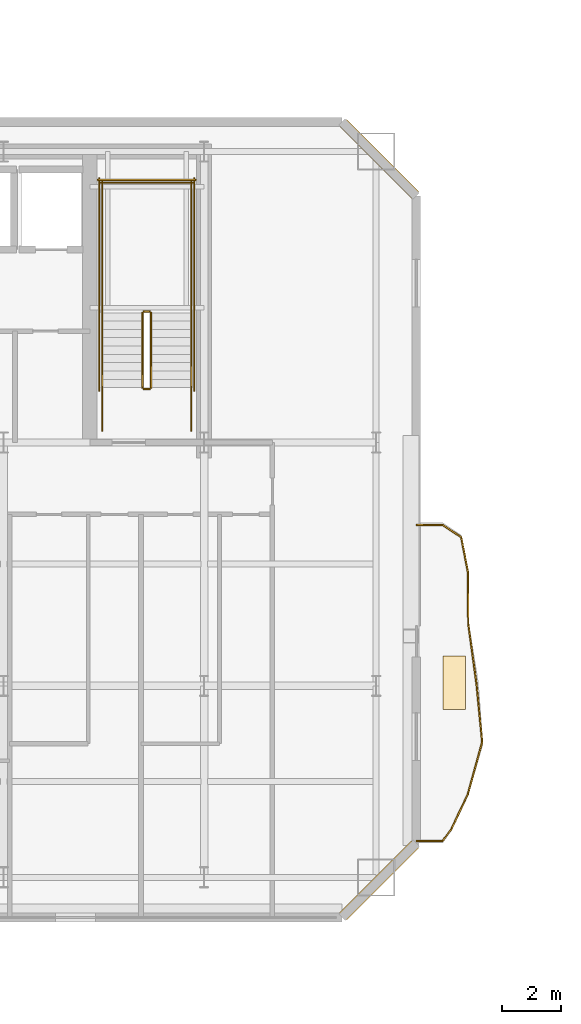
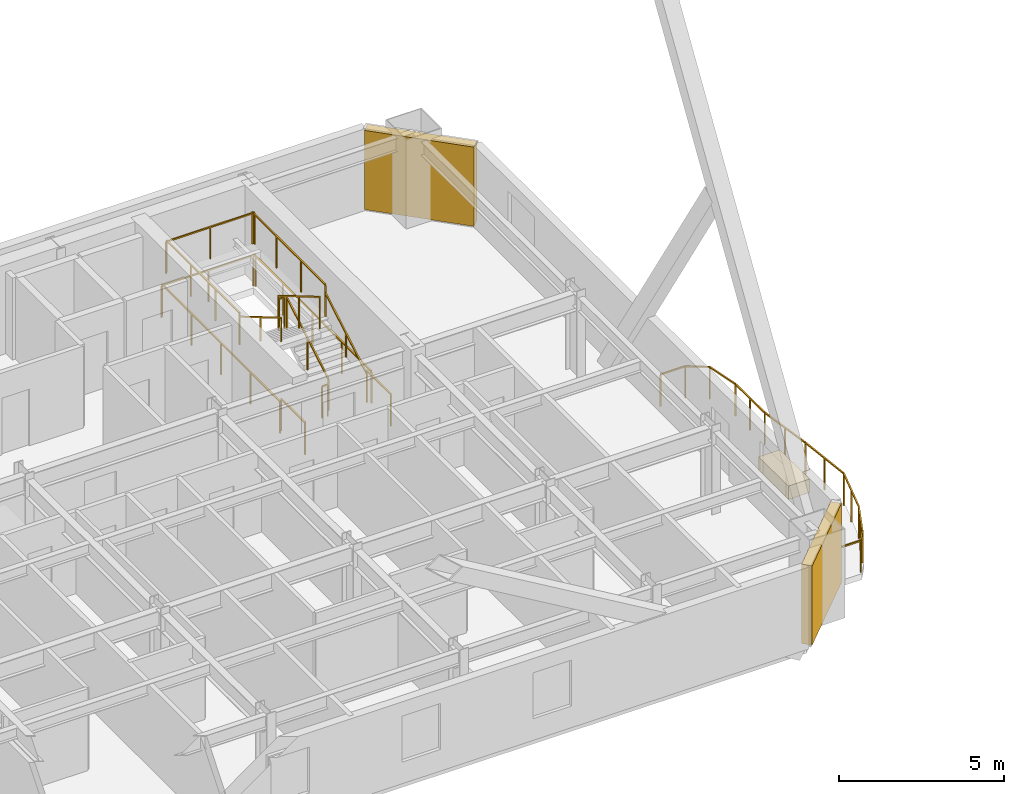
# One storey, part 18 of 20: 24 railings, 2 shading devices, 1 covering.
"""IFC4 building model written with IfcOpenShell, lengths in metres."""

from ifc_helpers import new_model, si_unit, direction, frame, origin, origin_2d, place, context, subcontext, project, spatial, rectangle, extrude, material, layer, layer_set, type_object, element, save


model = new_model("IFC4")

# Units and contexts
model_context = context("Model", 3, precision=1e-05, world=origin(), true_north=direction((0.0, 1.0)))
body_context = subcontext(model_context, "Body", "Model", "MODEL_VIEW")
ifc_project = project(units=[si_unit("LENGTHUNIT", "METRE"), si_unit("AREAUNIT", "SQUARE_METRE"), si_unit("VOLUMEUNIT", "CUBIC_METRE"), si_unit("PLANEANGLEUNIT", "RADIAN"), si_unit("MASSUNIT", "GRAM", prefix="KILO")], contexts=[model_context])

# Site, building, storey
site_placement = place(None, origin())
site = spatial("IfcSite", under=ifc_project, at=site_placement, CompositionType="ELEMENT")
building_placement = place(site_placement, origin())
building = spatial("IfcBuilding", under=site, at=building_placement, Name="Haevon Station Towers", CompositionType="ELEMENT")
storey_placement = place(building_placement, frame((0.0, 0.0, 175.800048828125)))
storey = spatial("IfcBuildingStorey", under=building, at=storey_placement, Name="L48", CompositionType="ELEMENT", Elevation=175.800048828125)

# Railings
ifc_material_1 = material(Name="Steel S355", Category="steel")
railing_type_1 = type_object("IfcRailingType", Name="GRD-EXT1200", PredefinedType="GUARDRAIL", material=ifc_material_1)
railing_1_placement = place(storey_placement, frame((58.17333984375, 24.77783203125, 0.0)))
element("IfcRailing", 1, at=railing_1_placement, inside=storey, type_object=railing_type_1, Name="L48 Perimeter Guardrail 1", PredefinedType="GUARDRAIL", context=body_context, shape_type="SweptSolid", body=[
    extrude(rectangle(XDim=0.048095703125, YDim=0.048095703125, at=origin_2d()), frame((0.0, 0.0, 1.17578125), z_axis=(0.99999747791, 0.002245923589, 0.0), x_axis=(-0.002245923589, 0.99999747791, 0.0)), (0.0, 0.0, 1.0), 0.86962890625),
    extrude(rectangle(XDim=0.0419921875, YDim=0.0419921875, at=origin_2d()), origin(), (0.0, 0.0, 1.0), 1.15185546875),
    extrude(rectangle(XDim=0.0419921875, YDim=0.0419921875, at=origin_2d()), frame((0.86962890625, 0.001953125, 0.0)), (0.0, 0.0, 1.0), 1.15185546875),
])
railing_2_placement = place(storey_placement, frame((59.04296875, 24.77978515625, 0.0)))
element("IfcRailing", 2, at=railing_2_placement, inside=storey, type_object=railing_type_1, Name="L48 Perimeter Guardrail 2", PredefinedType="GUARDRAIL", context=body_context, shape_type="SweptSolid", body=[
    extrude(rectangle(XDim=0.048095703125, YDim=0.048095703125, at=origin_2d()), frame((0.0, 0.0, 1.17578125), z_axis=(0.587943185417, 0.808902225688, 0.0), x_axis=(-0.808902225688, 0.587943185417, 0.0)), (0.0, 0.0, 1.0), 0.50830078125),
    extrude(rectangle(XDim=0.0419921875, YDim=0.0419921875, at=origin_2d()), origin(), (0.0, 0.0, 1.0), 1.15185546875),
    extrude(rectangle(XDim=0.0419921875, YDim=0.0419921875, at=origin_2d()), frame((0.298828125, 0.4111328125, 0.0)), (0.0, 0.0, 1.0), 1.15185546875),
])
railing_3_placement = place(storey_placement, frame((59.341796875, 25.19091796875, 0.0)))
element("IfcRailing", 3, at=railing_3_placement, inside=storey, type_object=railing_type_1, Name="L48 Perimeter Guardrail 3", PredefinedType="GUARDRAIL", context=body_context, shape_type="SweptSolid", body=[
    extrude(rectangle(XDim=0.048095703125, YDim=0.048095703125, at=origin_2d()), frame((0.0, 0.0, 1.17578125), z_axis=(0.42339242702, 0.905946385137, 0.0), x_axis=(-0.905946385137, 0.42339242702, 0.0)), (0.0, 0.0, 1.0), 1.291748046875),
    extrude(rectangle(XDim=0.0419921875, YDim=0.0419921875, at=origin_2d()), origin(), (0.0, 0.0, 1.0), 1.15185546875),
    extrude(rectangle(XDim=0.0419921875, YDim=0.0419921875, at=origin_2d()), frame((0.2734375, 0.5849609375, 0.0)), (0.0, 0.0, 1.0), 1.15185546875),
    extrude(rectangle(XDim=0.0419921875, YDim=0.0419921875, at=origin_2d()), frame((0.546875, 1.170166015625, 0.0)), (0.0, 0.0, 1.0), 1.15185546875),
])
railing_4_placement = place(storey_placement, frame((59.888671875, 26.361083984375, 0.0)))
element("IfcRailing", 4, at=railing_4_placement, inside=storey, type_object=railing_type_1, Name="L48 Perimeter Guardrail 4", PredefinedType="GUARDRAIL", context=body_context, shape_type="SweptSolid", body=[
    extrude(rectangle(XDim=0.048095703125, YDim=0.048095703125, at=origin_2d()), frame((0.0, 0.0, 1.17578125), z_axis=(0.266356811872, 0.963874498454, 0.0), x_axis=(-0.963874498454, 0.266356811872, 0.0)), (0.0, 0.0, 1.0), 1.810302734375),
    extrude(rectangle(XDim=0.0419921875, YDim=0.0419921875, at=origin_2d()), origin(), (0.0, 0.0, 1.0), 1.15185546875),
    extrude(rectangle(XDim=0.0419921875, YDim=0.0419921875, at=origin_2d()), frame((0.2412109375, 0.87255859375, 0.0)), (0.0, 0.0, 1.0), 1.15185546875),
    extrude(rectangle(XDim=0.0419921875, YDim=0.0419921875, at=origin_2d()), frame((0.482177734375, 1.744873046875, 0.0)), (0.0, 0.0, 1.0), 1.15185546875),
])
railing_5_placement = place(storey_placement, frame((60.370849609375, 28.10595703125, 0.0)))
element("IfcRailing", 5, at=railing_5_placement, inside=storey, type_object=railing_type_1, Name="L48 Perimeter Guardrail 5", PredefinedType="GUARDRAIL", context=body_context, shape_type="SweptSolid", body=[
    extrude(rectangle(XDim=0.048095703125, YDim=0.048095703125, at=origin_2d()), frame((0.0, 0.0, 1.17578125), z_axis=(-0.097718135752, 0.9952141307, 0.0), x_axis=(-0.9952141307, -0.097718135752, 0.0)), (0.0, 0.0, 1.0), 2.003662109375),
    extrude(rectangle(XDim=0.0419921875, YDim=0.0419921875, at=origin_2d()), origin(), (0.0, 0.0, 1.0), 1.15185546875),
    extrude(rectangle(XDim=0.0419921875, YDim=0.0419921875, at=origin_2d()), frame((-0.097900390625, 0.9970703125, 0.0)), (0.0, 0.0, 1.0), 1.15185546875),
    extrude(rectangle(XDim=0.0419921875, YDim=0.0419921875, at=origin_2d()), frame((-0.19580078125, 1.994140625, 0.0)), (0.0, 0.0, 1.0), 1.15185546875),
])
railing_6_placement = place(storey_placement, frame((60.175048828125, 30.10009765625, 0.0)))
element("IfcRailing", 6, at=railing_6_placement, inside=storey, type_object=railing_type_1, Name="L48 Perimeter Guardrail 6", PredefinedType="GUARDRAIL", context=body_context, shape_type="SweptSolid", body=[
    extrude(rectangle(XDim=0.048095703125, YDim=0.048095703125, at=origin_2d()), frame((0.0, 0.0, 1.17578125), z_axis=(-0.136345171369, 0.990661392326, 0.0), x_axis=(-0.990661392326, -0.136345171369, 0.0)), (0.0, 0.0, 1.0), 2.00732421875),
    extrude(rectangle(XDim=0.0419921875, YDim=0.0419921875, at=origin_2d()), origin(), (0.0, 0.0, 1.0), 1.15185546875),
    extrude(rectangle(XDim=0.0419921875, YDim=0.0419921875, at=origin_2d()), frame((-0.13671875, 0.994140625, 0.0)), (0.0, 0.0, 1.0), 1.15185546875),
    extrude(rectangle(XDim=0.0419921875, YDim=0.0419921875, at=origin_2d()), frame((-0.273681640625, 1.988525390625, 0.0)), (0.0, 0.0, 1.0), 1.15185546875),
])
railing_7_placement = place(storey_placement, frame((59.9013671875, 32.088623046875, 0.0)))
element("IfcRailing", 7, at=railing_7_placement, inside=storey, type_object=railing_type_1, Name="L48 Perimeter Guardrail 7", PredefinedType="GUARDRAIL", context=body_context, shape_type="SweptSolid", body=[
    extrude(rectangle(XDim=0.048095703125, YDim=0.048095703125, at=origin_2d()), frame((0.0, 0.0, 1.17578125), z_axis=(-0.00725326156, 0.999973694752, 0.0), x_axis=(-0.999973694752, -0.00725326156, 0.0)), (0.0, 0.0, 1.0), 1.750244140625),
    extrude(rectangle(XDim=0.0419921875, YDim=0.0419921875, at=origin_2d()), origin(), (0.0, 0.0, 1.0), 1.15185546875),
    extrude(rectangle(XDim=0.0419921875, YDim=0.0419921875, at=origin_2d()), frame((-0.00634765625, 0.875, 0.0)), (0.0, 0.0, 1.0), 1.15185546875),
    extrude(rectangle(XDim=0.0419921875, YDim=0.0419921875, at=origin_2d()), frame((-0.0126953125, 1.750244140625, 0.0)), (0.0, 0.0, 1.0), 1.15185546875),
])
railing_8_placement = place(storey_placement, frame((59.888671875, 33.8388671875, 0.0)))
element("IfcRailing", 8, at=railing_8_placement, inside=storey, type_object=railing_type_1, Name="L48 Perimeter Guardrail 8", PredefinedType="GUARDRAIL", context=body_context, shape_type="SweptSolid", body=[
    extrude(rectangle(XDim=0.048095703125, YDim=0.048095703125, at=origin_2d()), frame((0.0, 0.0, 1.17578125), z_axis=(-0.18988815167, 0.981805729182, 0.0), x_axis=(-0.981805729182, -0.18988815167, 0.0)), (0.0, 0.0, 1.0), 1.19189453125),
    extrude(rectangle(XDim=0.0419921875, YDim=0.0419921875, at=origin_2d()), origin(), (0.0, 0.0, 1.0), 1.15185546875),
    extrude(rectangle(XDim=0.0419921875, YDim=0.0419921875, at=origin_2d()), frame((-0.226318359375, 1.170166015625, 0.0)), (0.0, 0.0, 1.0), 1.15185546875),
])
railing_9_placement = place(storey_placement, frame((59.662353515625, 35.009033203125, 0.0)))
element("IfcRailing", 9, at=railing_9_placement, inside=storey, type_object=railing_type_1, Name="L48 Perimeter Guardrail 9", PredefinedType="GUARDRAIL", context=body_context, shape_type="SweptSolid", body=[
    extrude(rectangle(XDim=0.048095703125, YDim=0.048095703125, at=origin_2d()), frame((0.0, 0.0, 1.17578125), z_axis=(-0.833160144028, 0.553031802343, 0.0), x_axis=(-0.553031802343, -0.833160144028, 0.0)), (0.0, 0.0, 1.0), 0.743408203125),
    extrude(rectangle(XDim=0.0419921875, YDim=0.0419921875, at=origin_2d()), origin(), (0.0, 0.0, 1.0), 1.15185546875),
    extrude(rectangle(XDim=0.0419921875, YDim=0.0419921875, at=origin_2d()), frame((-0.619384765625, 0.4111328125, 0.0)), (0.0, 0.0, 1.0), 1.15185546875),
])
railing_10_placement = place(storey_placement, frame((59.04296875, 35.420166015625, 0.0)))
element("IfcRailing", 10, at=railing_10_placement, inside=storey, type_object=railing_type_1, Name="L48 Perimeter Guardrail 10", PredefinedType="GUARDRAIL", context=body_context, shape_type="SweptSolid", body=[
    extrude(rectangle(XDim=0.048095703125, YDim=0.048095703125, at=origin_2d()), frame((0.0, 0.0, 1.17578125), z_axis=(-0.99999747791, 0.002245923589, 0.0), x_axis=(-0.002245923589, -0.99999747791, 0.0)), (0.0, 0.0, 1.0), 0.86962890625),
    extrude(rectangle(XDim=0.0419921875, YDim=0.0419921875, at=origin_2d()), origin(), (0.0, 0.0, 1.0), 1.15185546875),
    extrude(rectangle(XDim=0.0419921875, YDim=0.0419921875, at=origin_2d()), frame((-0.86962890625, 0.001953125, 0.0)), (0.0, 0.0, 1.0), 1.15185546875),
])
railing_type_2 = type_object("IfcRailingType", Name="GRD-STR1200", PredefinedType="GUARDRAIL", material=ifc_material_1)
railing_11_placement = place(storey_placement, frame((49.219970703125, 40.050048828125, 0.1650390625)))
element("IfcRailing", 11, at=railing_11_placement, inside=storey, type_object=railing_type_2, Name="L48 ST2 Stair Guard 1", PredefinedType="GUARDRAIL", context=body_context, shape_type="SweptSolid", body=[
    extrude(rectangle(XDim=0.048095703125, YDim=0.048095703125, at=origin_2d()), frame((0.0, 0.0, 1.17578125), z_axis=(0.0, 0.861560626758, 0.507654692109), x_axis=(-1.0, 0.0, 0.0)), (0.0, 0.0, 1.0), 2.925048828125),
    extrude(rectangle(XDim=0.0419921875, YDim=0.0419921875, at=origin_2d()), origin(), (0.0, 0.0, 1.0), 1.15185546875),
    extrude(rectangle(XDim=0.0419921875, YDim=0.0419921875, at=origin_2d()), frame((0.0, 1.260009765625, 0.742431640625)), (0.0, 0.0, 1.0), 1.15185546875),
    extrude(rectangle(XDim=0.0419921875, YDim=0.0419921875, at=origin_2d()), frame((0.0, 2.52001953125, 1.48486328125)), (0.0, 0.0, 1.0), 1.15185546875),
])
railing_12_placement = place(storey_placement, frame((49.169921875, 42.6201171875, 1.64990234375)))
element("IfcRailing", 12, at=railing_12_placement, inside=storey, type_object=railing_type_2, Name="L48 ST2 Stair Guard 2", PredefinedType="GUARDRAIL", context=body_context, shape_type="SweptSolid", body=[
    extrude(rectangle(XDim=0.048095703125, YDim=0.048095703125, at=origin_2d()), frame((0.0, 0.0, 1.17578125), z_axis=(-1.0, 0.0, 0.0), x_axis=(0.0, -1.0, 0.0)), (0.0, 0.0, 1.0), 0.199951171875),
    extrude(rectangle(XDim=0.0419921875, YDim=0.0419921875, at=origin_2d()), origin(), (0.0, 0.0, 1.0), 1.15185546875),
    extrude(rectangle(XDim=0.0419921875, YDim=0.0419921875, at=origin_2d()), frame((-0.199951171875, 0.0, 0.0)), (0.0, 0.0, 1.0), 1.15185546875),
])
for number, where, name in (
    (13, (50.570068359375, 42.570068359375, 1.64990234375), "L48 ST2 Stair Guard 3"),
    (14, (47.570068359375, 42.570068359375, 1.64990234375), "L48 ST2 Stair Guard 4"),
):
    element("IfcRailing", number, at=place(storey_placement, frame(where)), inside=storey, type_object=railing_type_2, Name=name, PredefinedType="GUARDRAIL", context=body_context, shape_type="SweptSolid", body=[
        extrude(rectangle(XDim=0.048095703125, YDim=0.048095703125, at=origin_2d()), frame((0.0, 0.0, 1.17578125), z_axis=(0.0, 1.0, 0.0), x_axis=(-1.0, 0.0, 0.0)), (0.0, 0.0, 1.0), 4.429931640625),
        extrude(rectangle(XDim=0.0419921875, YDim=0.0419921875, at=origin_2d()), origin(), (0.0, 0.0, 1.0), 1.15185546875),
        extrude(rectangle(XDim=0.0419921875, YDim=0.0419921875, at=origin_2d()), frame((0.0, 1.4765625, 0.0)), (0.0, 0.0, 1.0), 1.15185546875),
        extrude(rectangle(XDim=0.0419921875, YDim=0.0419921875, at=origin_2d()), frame((0.0, 2.953369140625, 0.0)), (0.0, 0.0, 1.0), 1.15185546875),
        extrude(rectangle(XDim=0.0419921875, YDim=0.0419921875, at=origin_2d()), frame((0.0, 4.429931640625, 0.0)), (0.0, 0.0, 1.0), 1.15185546875),
    ])
railing_13_placement = place(storey_placement, frame((50.6201171875, 46.949951171875, 1.64990234375)))
element("IfcRailing", 15, at=railing_13_placement, inside=storey, type_object=railing_type_2, Name="L48 ST2 Stair Guard 5", PredefinedType="GUARDRAIL", context=body_context, shape_type="SweptSolid", body=[
    extrude(rectangle(XDim=0.048095703125, YDim=0.048095703125, at=origin_2d()), frame((0.0, 0.0, 1.17578125), z_axis=(-1.0, 0.0, 0.0), x_axis=(0.0, -1.0, 0.0)), (0.0, 0.0, 1.0), 3.10009765625),
    extrude(rectangle(XDim=0.0419921875, YDim=0.0419921875, at=origin_2d()), origin(), (0.0, 0.0, 1.0), 1.15185546875),
    extrude(rectangle(XDim=0.0419921875, YDim=0.0419921875, at=origin_2d()), frame((-1.550048828125, 0.0, 0.0)), (0.0, 0.0, 1.0), 1.15185546875),
    extrude(rectangle(XDim=0.0419921875, YDim=0.0419921875, at=origin_2d()), frame((-3.10009765625, 0.0, 0.0)), (0.0, 0.0, 1.0), 1.15185546875),
])
railing_14_placement = place(storey_placement, frame((48.919921875, 42.570068359375, 1.81494140625)))
element("IfcRailing", 16, at=railing_14_placement, inside=storey, type_object=railing_type_2, Name="L48 ST2 Stair Guard 6", PredefinedType="GUARDRAIL", context=body_context, shape_type="SweptSolid", body=[
    extrude(rectangle(XDim=0.048095703125, YDim=0.048095703125, at=origin_2d()), frame((0.0, 0.0, 1.17578125), z_axis=(0.0, -0.86152411907, 0.507716645641), x_axis=(1.0, 0.0, 0.0)), (0.0, 0.0, 1.0), 2.925048828125),
    extrude(rectangle(XDim=0.0419921875, YDim=0.0419921875, at=origin_2d()), origin(), (0.0, 0.0, 1.0), 1.15185546875),
    extrude(rectangle(XDim=0.0419921875, YDim=0.0419921875, at=origin_2d()), frame((0.0, -1.260009765625, 0.74267578125)), (0.0, 0.0, 1.0), 1.15185546875),
    extrude(rectangle(XDim=0.0419921875, YDim=0.0419921875, at=origin_2d()), frame((0.0, -2.52001953125, 1.485107421875)), (0.0, 0.0, 1.0), 1.15185546875),
])
railing_15_placement = place(storey_placement, frame((49.169921875, 40.0, 0.0)))
element("IfcRailing", 17, at=railing_15_placement, inside=storey, type_object=railing_type_2, Name="L48 ST2 Stair Guard 7", PredefinedType="GUARDRAIL", context=body_context, shape_type="SweptSolid", body=[
    extrude(rectangle(XDim=0.048095703125, YDim=0.048095703125, at=origin_2d()), frame((0.0, 0.0, 1.17578125), z_axis=(-1.0, 0.0, 0.0), x_axis=(0.0, -1.0, 0.0)), (0.0, 0.0, 1.0), 0.199951171875),
    extrude(rectangle(XDim=0.0419921875, YDim=0.0419921875, at=origin_2d()), origin(), (0.0, 0.0, 1.0), 1.15185546875),
    extrude(rectangle(XDim=0.0419921875, YDim=0.0419921875, at=origin_2d()), frame((-0.199951171875, 0.0, 0.0)), (0.0, 0.0, 1.0), 1.15185546875),
])
for number, where, name in (
    (18, (50.570068359375, 38.60009765625, 0.0), "L48 ST2 Stair Guard 8"),
    (19, (47.570068359375, 38.60009765625, 0.0), "L48 ST2 Stair Guard 9"),
):
    element("IfcRailing", number, at=place(storey_placement, frame(where)), inside=storey, type_object=railing_type_2, Name=name, PredefinedType="GUARDRAIL", context=body_context, shape_type="SweptSolid", body=[
        extrude(rectangle(XDim=0.048095703125, YDim=0.048095703125, at=origin_2d()), frame((0.0, 0.0, 1.17578125), z_axis=(0.0, 1.0, 0.0), x_axis=(-1.0, 0.0, 0.0)), (0.0, 0.0, 1.0), 1.449951171875),
        extrude(rectangle(XDim=0.0419921875, YDim=0.0419921875, at=origin_2d()), origin(), (0.0, 0.0, 1.0), 1.15185546875),
        extrude(rectangle(XDim=0.0419921875, YDim=0.0419921875, at=origin_2d()), frame((0.0, 1.449951171875, 0.0)), (0.0, 0.0, 1.0), 1.15185546875),
    ])
for number, where, name in (
    (20, (50.669921875, 39.949951171875, 0.0), "L48 ST2 Stair Guard 10"),
    (21, (47.469970703125, 39.949951171875, 0.0), "L48 ST2 Stair Guard 11"),
):
    element("IfcRailing", number, at=place(storey_placement, frame(where)), inside=storey, type_object=railing_type_2, Name=name, PredefinedType="GUARDRAIL", context=body_context, shape_type="SweptSolid", body=[
        extrude(rectangle(XDim=0.048095703125, YDim=0.048095703125, at=origin_2d()), frame((0.0, 0.0, 1.17578125), z_axis=(0.0, 1.0, 0.0), x_axis=(-1.0, 0.0, 0.0)), (0.0, 0.0, 1.0), 7.150146484375),
        extrude(rectangle(XDim=0.0419921875, YDim=0.0419921875, at=origin_2d()), origin(), (0.0, 0.0, 1.0), 1.15185546875),
        extrude(rectangle(XDim=0.0419921875, YDim=0.0419921875, at=origin_2d()), frame((0.0, 1.78759765625, 0.0)), (0.0, 0.0, 1.0), 1.15185546875),
        extrude(rectangle(XDim=0.0419921875, YDim=0.0419921875, at=origin_2d()), frame((0.0, 3.5751953125, 0.0)), (0.0, 0.0, 1.0), 1.15185546875),
        extrude(rectangle(XDim=0.0419921875, YDim=0.0419921875, at=origin_2d()), frame((0.0, 5.362548828125, 0.0)), (0.0, 0.0, 1.0), 1.15185546875),
        extrude(rectangle(XDim=0.0419921875, YDim=0.0419921875, at=origin_2d()), frame((0.0, 7.150146484375, 0.0)), (0.0, 0.0, 1.0), 1.15185546875),
    ])
railing_16_placement = place(storey_placement, frame((50.719970703125, 47.050048828125, 0.0)))
element("IfcRailing", 22, at=railing_16_placement, inside=storey, type_object=railing_type_2, Name="L48 ST2 Stair Guard 12", PredefinedType="GUARDRAIL", context=body_context, shape_type="SweptSolid", body=[
    extrude(rectangle(XDim=0.048095703125, YDim=0.048095703125, at=origin_2d()), frame((0.0, 0.0, 1.17578125), z_axis=(-1.0, 0.0, 0.0), x_axis=(0.0, -1.0, 0.0)), (0.0, 0.0, 1.0), 3.300048828125),
    extrude(rectangle(XDim=0.0419921875, YDim=0.0419921875, at=origin_2d()), origin(), (0.0, 0.0, 1.0), 1.15185546875),
    extrude(rectangle(XDim=0.0419921875, YDim=0.0419921875, at=origin_2d()), frame((-1.64990234375, 0.0, 0.0)), (0.0, 0.0, 1.0), 1.15185546875),
    extrude(rectangle(XDim=0.0419921875, YDim=0.0419921875, at=origin_2d()), frame((-3.300048828125, 0.0, 0.0)), (0.0, 0.0, 1.0), 1.15185546875),
])
railing_type_3 = type_object("IfcRailingType", Name="HND-STR900", PredefinedType="HANDRAIL", material=ifc_material_1)
railing_17_placement = place(storey_placement, frame((50.570068359375, 40.050048828125, 0.1650390625)))
element("IfcRailing", 23, at=railing_17_placement, inside=storey, type_object=railing_type_3, Name="L48 ST2 Stair Handrail 1", PredefinedType="HANDRAIL", context=body_context, shape_type="SweptSolid", body=[
    extrude(rectangle(XDim=0.048095703125, YDim=0.048095703125, at=origin_2d()), frame((0.0, 0.0, 0.8759765625), z_axis=(0.0, 0.861560626758, 0.507654692109), x_axis=(-1.0, 0.0, 0.0)), (0.0, 0.0, 1.0), 2.925048828125),
    extrude(rectangle(XDim=0.0419921875, YDim=0.0419921875, at=origin_2d()), origin(), (0.0, 0.0, 1.0), 0.851806640625),
    extrude(rectangle(XDim=0.0419921875, YDim=0.0419921875, at=origin_2d()), frame((0.0, 1.260009765625, 0.742431640625)), (0.0, 0.0, 1.0), 0.851806640625),
    extrude(rectangle(XDim=0.0419921875, YDim=0.0419921875, at=origin_2d()), frame((0.0, 2.52001953125, 1.48486328125)), (0.0, 0.0, 1.0), 0.851806640625),
])
railing_18_placement = place(storey_placement, frame((47.570068359375, 42.570068359375, 1.81494140625)))
element("IfcRailing", 24, at=railing_18_placement, inside=storey, type_object=railing_type_3, Name="L48 ST2 Stair Handrail 2", PredefinedType="HANDRAIL", context=body_context, shape_type="SweptSolid", body=[
    extrude(rectangle(XDim=0.048095703125, YDim=0.048095703125, at=origin_2d()), frame((0.0, 0.0, 0.8759765625), z_axis=(0.0, -0.86152411907, 0.507716645641), x_axis=(1.0, 0.0, 0.0)), (0.0, 0.0, 1.0), 2.925048828125),
    extrude(rectangle(XDim=0.0419921875, YDim=0.0419921875, at=origin_2d()), origin(), (0.0, 0.0, 1.0), 0.851806640625),
    extrude(rectangle(XDim=0.0419921875, YDim=0.0419921875, at=origin_2d()), frame((0.0, -1.260009765625, 0.74267578125)), (0.0, 0.0, 1.0), 0.851806640625),
    extrude(rectangle(XDim=0.0419921875, YDim=0.0419921875, at=origin_2d()), frame((0.0, -2.52001953125, 1.485107421875)), (0.0, 0.0, 1.0), 0.851806640625),
])

# Covering
ifc_material_2 = material(Name="Architectural planter GRC", Category="concrete")
ifc_layer_1 = layer(ifc_material_2, 0.550048828125)
ifc_layer_set_1 = layer_set([ifc_layer_1], Name="Architectural planter GRC")
covering_type = type_object("IfcCoveringType", Name="PLN-GRC550", PredefinedType="MOLDING", material=ifc_layer_set_1)
covering_placement = place(storey_placement, frame((59.433349609375, 30.10009765625, 0.0), z_axis=(0.0, 0.0, 1.0), x_axis=(1.0, 0.0, 0.0)))
element("IfcCovering", 25, at=covering_placement, inside=storey, type_object=covering_type, Name="Tower 1 L48 Scalloped Balcony PLANTER", PredefinedType="MOLDING", context=body_context, shape_type="SweptSolid", body=[
    extrude(rectangle(XDim=0.75, YDim=1.800048828125, at=origin_2d()), origin(), (0.0, 0.0, 1.0), 0.5),
])

# Shading devices
ifc_material_3 = material(Name="Anodised aluminium 6063-T6", Category="aluminium")
ifc_layer_2 = layer(ifc_material_3, 0.139892578125)
ifc_layer_set_2 = layer_set([ifc_layer_2], Name="Anodised aluminium 6063-T6")
shading_device_type = type_object("IfcShadingDeviceType", Name="SHD-WIND-BAFFLE", PredefinedType="SHUTTER", material=ifc_layer_set_2)
for number, where, z_axis, x_axis, name in (
    (26, (56.89990234375, 47.75, 0.0498046875), (0.0, 0.0, 1.0), (0.707106781187, -0.707106781187, 0.0), "Tower 1 L48 Wind-Corner Aerofoil Baffle NEC"),
    (27, (56.89990234375, 23.449951171875, 0.0498046875), (0.0, 0.0, 1.0), (-0.707106781187, -0.707106781187, 0.0), "Tower 1 L48 Wind-Corner Aerofoil Baffle SEC"),
):
    element("IfcShadingDevice", number, at=place(storey_placement, frame(where, z_axis=z_axis, x_axis=x_axis)), inside=storey, type_object=shading_device_type, Name=name, PredefinedType="SHUTTER", context=body_context, shape_type="SweptSolid", body=[
        extrude(rectangle(XDim=3.435546875, YDim=0.340087890625, at=origin_2d()), origin(), (0.0, 0.0, 1.0), 2.929931640625),
    ])

save(model, "model.ifc")
